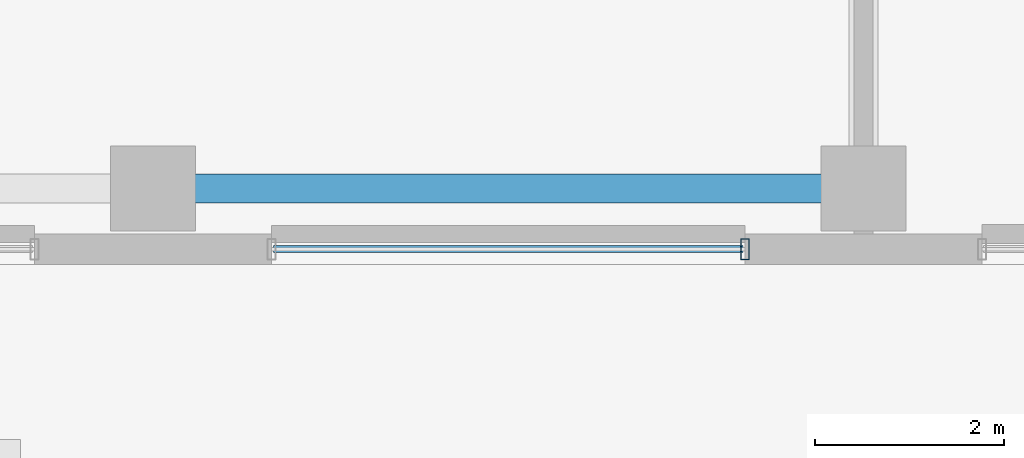
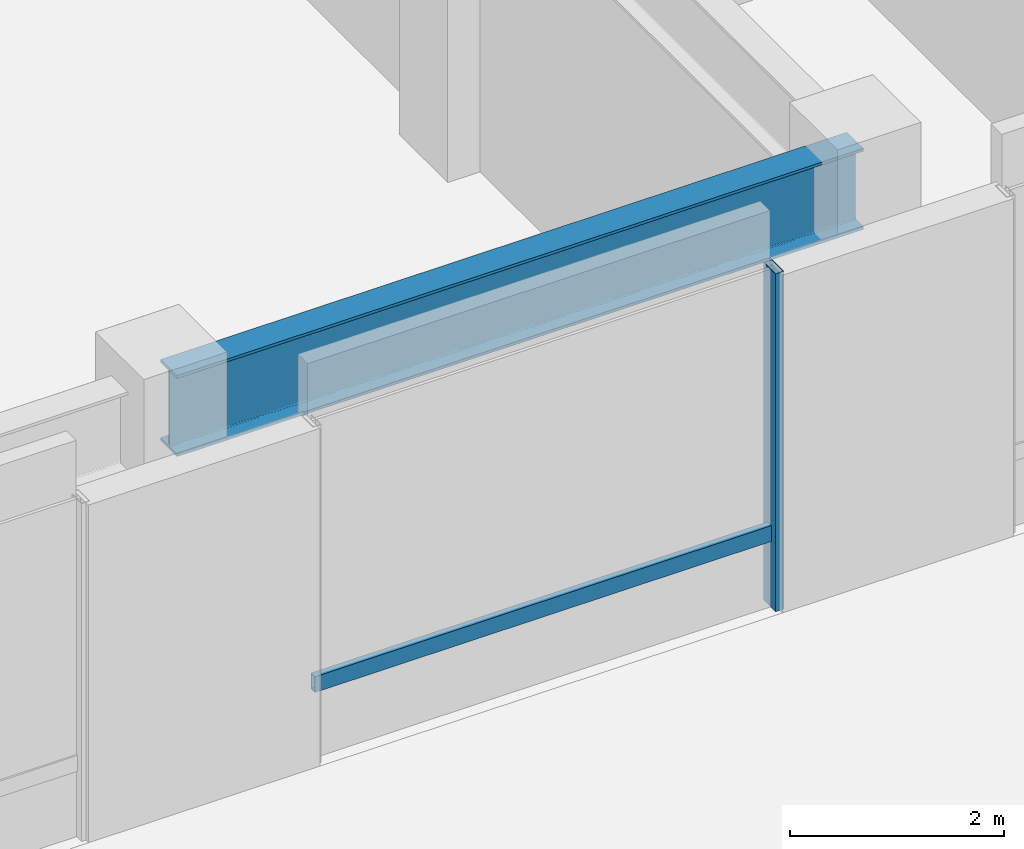
# One storey, part 3 of 24: 2 members, 1 beam, 1 element without a shape of its own.
"""IFC4 building model written with IfcOpenShell, lengths in metres."""

from ifc_helpers import new_model, si_unit, direction, frame, origin, origin_2d, place, context, subcontext, project, spatial, hollow_rectangle, i_section, extrude, material, material_profile, profile_set, type_object, element, aggregate, save


model = new_model("IFC4")

# Units and contexts
model_context = context("Model", 3, precision=1e-05, world=origin(), true_north=direction((0.0, 1.0)))
body_context = subcontext(model_context, "Body", "Model", "MODEL_VIEW")
ifc_project = project(units=[si_unit("LENGTHUNIT", "METRE"), si_unit("AREAUNIT", "SQUARE_METRE"), si_unit("VOLUMEUNIT", "CUBIC_METRE"), si_unit("PLANEANGLEUNIT", "RADIAN"), si_unit("MASSUNIT", "GRAM", prefix="KILO")], contexts=[model_context])

# Site, building, storey
site_placement = place(None, origin())
site = spatial("IfcSite", under=ifc_project, at=site_placement, CompositionType="ELEMENT")
building_placement = place(site_placement, origin())
building = spatial("IfcBuilding", under=site, at=building_placement, Name="Thornwick Lancets Civic Towers", CompositionType="ELEMENT")
storey_placement = place(building_placement, origin())
storey = spatial("IfcBuildingStorey", under=building, at=storey_placement, Name="L00", CompositionType="ELEMENT", Elevation=0.0)

# Beam
ifc_material_1 = material(Name="Steel S355JR", Category="steel")
ifc_material_profile_1 = material_profile(ifc_material_1, i_section(OverallWidth=0.3076171875, OverallDepth=0.926513671875, WebThickness=0.01953125, FlangeThickness=0.031982421875, FilletRadius=0.01904296875, at=origin_2d()), Name="UKB 914x305x289")
ifc_profile_set_1 = profile_set([ifc_material_profile_1], Name="Steel S355JR")
beam_type = type_object("IfcBeamType", Name="BM_POD_914_289", PredefinedType="BEAM", material=ifc_profile_set_1)
beam_placement = place(storey_placement, frame((60.080078125, 5.300048828125, 4.0166015625), z_axis=(1.0, 0.0, 0.0), x_axis=(0.0, 1.0, 0.0)))
element("IfcBeam", 1, at=beam_placement, inside=storey, type_object=beam_type, Name="BM-PODG-L00-3-4", PredefinedType="BEAM", context=body_context, shape_type="SweptSolid", body=[
    extrude(i_section(OverallWidth=0.3076171875, OverallDepth=0.926513671875, WebThickness=0.01953125, FlangeThickness=0.031982421875, FilletRadius=0.01904296875, at=origin_2d()), origin(), (0.0, 0.0, 1.0), 7.419921875),
])

# Curtain wall, members
ifc_material_2 = material(Name="Bronze aluminium Gothic lancet podium curtain wall", Category="aluminium")
curtain_wall_type = type_object("IfcCurtainWallType", Name="CW_SYS_01", PredefinedType="NOTDEFINED", material=ifc_material_2)
curtain_wall_placement = place(storey_placement, origin())
curtain_wall = element("IfcCurtainWall", 2, at=curtain_wall_placement, inside=storey, type_object=curtain_wall_type, Name="L00 Curtain Wall CW-L00-POD-SC-S4", PredefinedType="NOTDEFINED")
ifc_material_3 = material(Name="Thermally broken bronze aluminium S355", Category="steel")
ifc_material_profile_2 = material_profile(ifc_material_3, hollow_rectangle(XDim=0.090087890625, YDim=0.219970703125, WallThickness=0.00634765625, at=origin_2d()), Name="RHS 220x90x6.3")
ifc_profile_set_2 = profile_set([ifc_material_profile_2], Name="Thermally broken bronze aluminium S355")
member_type_1 = type_object("IfcMemberType", Name="CW_MUL_220", PredefinedType="MULLION", material=ifc_profile_set_2)
member_1_placement = place(storey_placement, frame((66.25, 4.659912109375, 0.0), z_axis=(0.0, 0.0, 1.0), x_axis=(1.0, 0.0, 0.0)))
member_1 = element("IfcMember", 3, at=member_1_placement, type_object=member_type_1, Name="CW-L00-POD-SC-S4 Mullion 1", PredefinedType="MULLION", context=body_context, shape_type="SweptSolid", body=[
    extrude(hollow_rectangle(XDim=0.090087890625, YDim=0.219970703125, WallThickness=0.00634765625, at=origin_2d()), origin(), (0.0, 0.0, 1.0), 3.860107421875),
])
ifc_material_profile_3 = material_profile(ifc_material_3, hollow_rectangle(XDim=0.074951171875, YDim=0.179931640625, WallThickness=0.006103515625, at=origin_2d()), Name="RHS 180x75x6")
ifc_profile_set_3 = profile_set([ifc_material_profile_3], Name="Thermally broken bronze aluminium S355")
member_type_2 = type_object("IfcMemberType", Name="CW_TRN_180", PredefinedType="USERDEFINED", material=ifc_profile_set_3)
member_2_placement = place(storey_placement, frame((61.27001953125, 4.659912109375, 0.85009765625), z_axis=(1.0, 0.0, 0.0), x_axis=(0.0, 1.0, 0.0)))
member_2 = element("IfcMember", 4, at=member_2_placement, type_object=member_type_2, Name="CW-L00-POD-SC-S4 Transom 0", ObjectType="TRANSOM", PredefinedType="USERDEFINED", context=body_context, shape_type="SweptSolid", body=[
    extrude(hollow_rectangle(XDim=0.074951171875, YDim=0.179931640625, WallThickness=0.006103515625, at=origin_2d()), origin(), (0.0, 0.0, 1.0), 4.9599609375),
])
aggregate(curtain_wall, [member_1, member_2])

save(model, "model.ifc")
